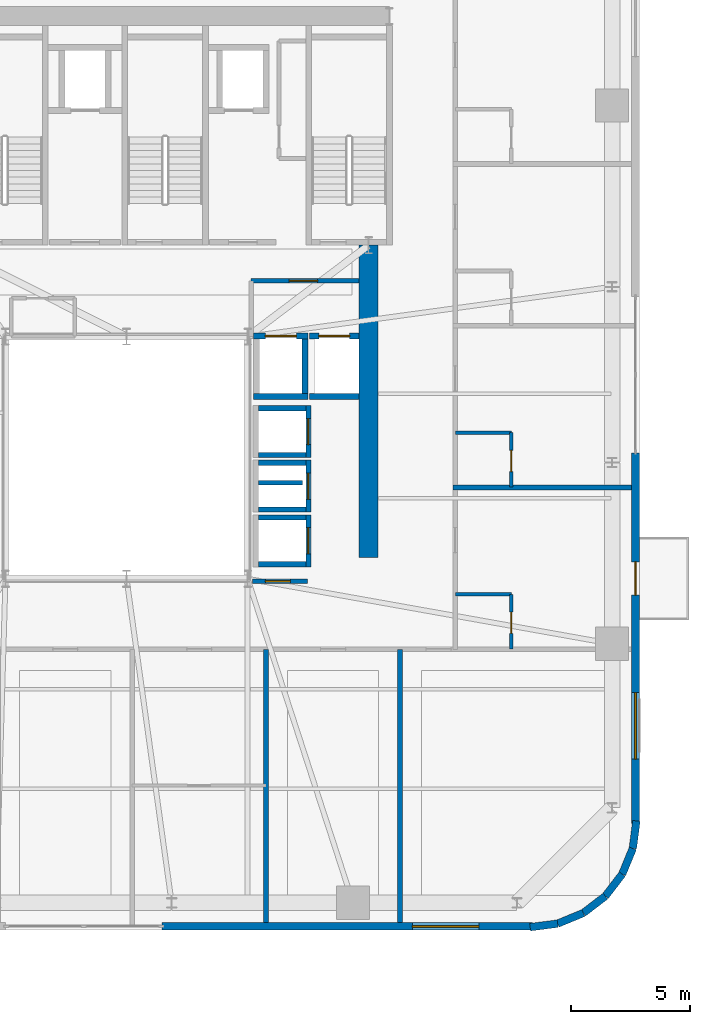
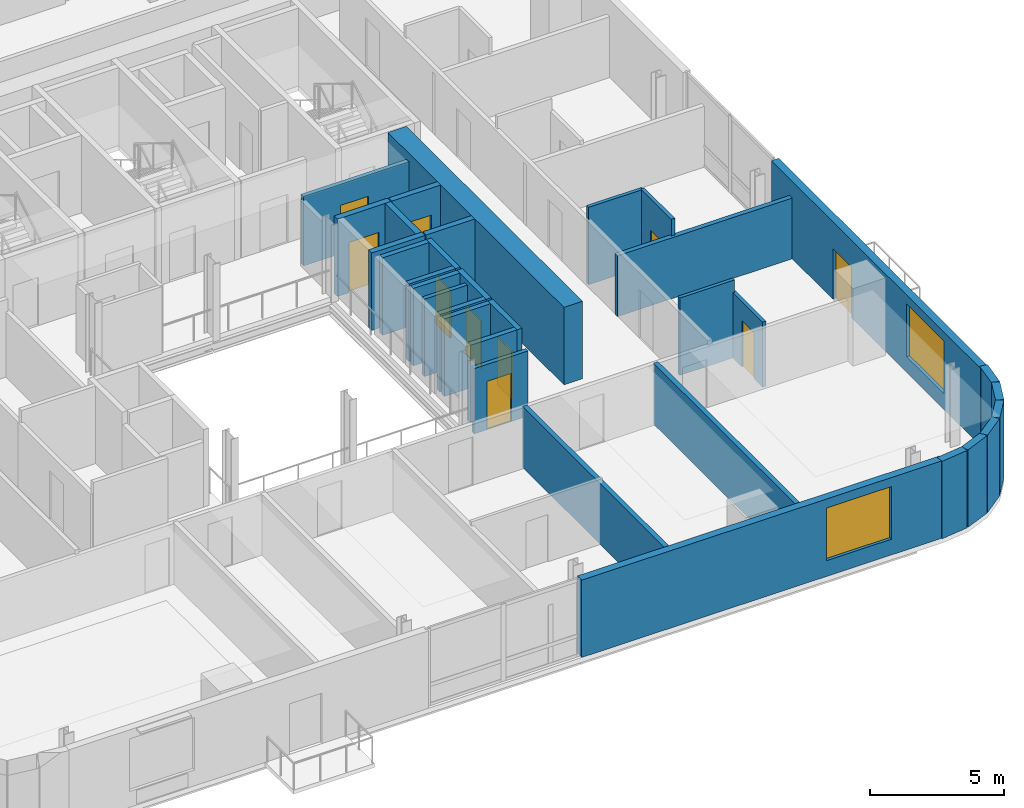
# One storey, part 9 of 16: 33 walls, 10 doors, 2 windows, 12 openings.
"""IFC4 building model written with IfcOpenShell, lengths in metres."""

from ifc_helpers import new_model, si_unit, direction, frame, frame_2d, origin, place, context, subcontext, project, spatial, rectangle, extrude, source, transform, mapped, material, layer, layer_set, type_object, element, fill, save


model = new_model("IFC4")

# Units and contexts
model_context = context("Model", 3, precision=1e-05, world=origin(), true_north=direction((0.0, 1.0)))
body_context = subcontext(model_context, "Body", "Model", "MODEL_VIEW")
ifc_project = project(units=[si_unit("LENGTHUNIT", "METRE"), si_unit("AREAUNIT", "SQUARE_METRE"), si_unit("VOLUMEUNIT", "CUBIC_METRE"), si_unit("PLANEANGLEUNIT", "RADIAN"), si_unit("MASSUNIT", "GRAM", prefix="KILO")], contexts=[model_context])

# Site, building, storey
site_placement = place(None, origin())
site = spatial("IfcSite", under=ifc_project, at=site_placement, CompositionType="ELEMENT")
building_placement = place(site_placement, origin())
building = spatial("IfcBuilding", under=site, at=building_placement, Name="Vardaveli Station Tower", CompositionType="ELEMENT")
storey_placement = place(building_placement, frame((0.0, 0.0, 226.050048828125)))
storey = spatial("IfcBuildingStorey", under=building, at=storey_placement, Name="L58", CompositionType="ELEMENT", Elevation=226.050048828125)

# Wall
ifc_material_1 = material(Name="Concrete C50/60", Category="concrete")
ifc_layer_1 = layer(ifc_material_1, 0.800048828125, Name="Concrete C50/60")
ifc_layer_set_1 = layer_set([ifc_layer_1], Name="Concrete C50/60")
wall_type_1 = type_object("IfcWallType", Name="WAL-CORE-800", PredefinedType="SHEAR", material=ifc_layer_set_1)
shared_shape_1 = source(origin(), body_context, "Body", "SweptSolid", [
    extrude(rectangle(XDim=13.14990234375, YDim=0.800048828125, at=frame_2d((6.574951171875, 0.0))), origin(), (0.0, 0.0, 1.0), 3.530029296875),
])
wall_1_placement = place(storey_placement, frame((46.5, 17.5, 0.0), z_axis=(0.0, 0.0, 1.0), x_axis=(0.0, 1.0, 0.0)))
element("IfcWall", 1, at=wall_1_placement, inside=storey, type_object=wall_type_1, Name="SW-L58-EAST2", PredefinedType="SHEAR", context=body_context, shape_type="MappedRepresentation", body=[
    mapped(shared_shape_1, transform((0.0, 0.0, 0.0), scale=1.0)),
])

# Wall, opening, window
ifc_material_2 = material(Name="Precast concrete C45/55", Category="concrete")
ifc_layer_2 = layer(ifc_material_2, 0.320068359375, Name="Precast concrete C45/55")
ifc_layer_set_2 = layer_set([ifc_layer_2], Name="Precast concrete C45/55")
wall_type_2 = type_object("IfcWallType", Name="WAL-EXT-STONE-320", PredefinedType="SOLIDWALL", material=ifc_layer_set_2)
shared_shape_2 = source(origin(), body_context, "Body", "SweptSolid", [
    extrude(rectangle(XDim=15.599853515625, YDim=0.320068359375, at=frame_2d((7.7998046875, 0.0))), origin(), (0.0, 0.0, 1.0), 3.530029296875),
])
wall_2_placement = place(storey_placement, frame((37.800048828125, 1.9599609375, 0.0), z_axis=(0.0, 0.0, 1.0), x_axis=(1.0, 0.0, 0.0)))
wall_2 = element("IfcWall", 2, at=wall_2_placement, inside=storey, type_object=wall_type_2, Name="EW-L58-S2", PredefinedType="SOLIDWALL", context=body_context, shape_type="MappedRepresentation", body=[
    mapped(shared_shape_2, transform((0.0, 0.0, 0.0), scale=1.0)),
])
shared_shape_3 = source(origin(), body_context, "Body", "SweptSolid", [
    extrude(rectangle(XDim=2.800048828125, YDim=2.39990234375, at=frame_2d((1.39990234375, 1.199951171875))), frame((0.0, 0.169921875, 0.0), z_axis=(0.0, -1.0, 0.0), x_axis=(1.0, 0.0, 0.0)), (0.0, 0.0, 1.0), 0.340087890625),
])
opening_1_placement = place(wall_2_placement, frame((10.544921875, 0.0, 0.719970703125)))
opening_1 = element("IfcOpeningElement", 3, at=opening_1_placement, cuts=wall_2, Name="Opening W-04", PredefinedType="OPENING", context=body_context, shape_type="MappedRepresentation", body=[
    mapped(shared_shape_3, transform((0.0, 0.0, 0.0), scale=1.0)),
])
ifc_material_3 = material(Name="Low-E solar-control glass", Category="glass")
window_type = type_object("IfcWindowType", Name="WIN-SUITE-2800x2400", PartitioningType="SINGLE_PANEL", PredefinedType="WINDOW", material=ifc_material_3)
shared_shape_4 = source(origin(), body_context, "Body", "SweptSolid", [
    extrude(rectangle(XDim=2.800048828125, YDim=2.39990234375, at=frame_2d((1.39990234375, 1.199951171875))), frame((0.0, 0.030029296875, 0.0), z_axis=(0.0, -1.0, 0.0), x_axis=(1.0, 0.0, 0.0)), (0.0, 0.0, 1.0), 0.06005859375),
])
window_1_placement = place(opening_1_placement, origin())
window_1 = element("IfcWindow", 4, at=window_1_placement, inside=storey, type_object=window_type, Name="WN-L58-S2", OverallHeight=2.39990234375, OverallWidth=2.800048828125, PartitioningType="SINGLE_PANEL", PredefinedType="WINDOW", context=body_context, shape_type="MappedRepresentation", body=[
    mapped(shared_shape_4, transform((0.0, 0.0, 0.0), scale=1.0)),
])
fill(opening_1, window_1)

# Wall, openings, door, window
wall_3_placement = place(storey_placement, frame((57.739990234375, 6.300048828125, 0.0), z_axis=(0.0, 0.0, 1.0), x_axis=(0.0, 1.0, 0.0)))
wall_3 = element("IfcWall", 5, at=wall_3_placement, inside=storey, type_object=wall_type_2, Name="EW-L58-E1", PredefinedType="SOLIDWALL", context=body_context, shape_type="MappedRepresentation", body=[
    mapped(shared_shape_2, transform((0.0, 0.0, 0.0), scale=1.0)),
])
shared_shape_5 = source(origin(), body_context, "Body", "SweptSolid", [
    extrude(rectangle(XDim=1.39990234375, YDim=2.300048828125, at=frame_2d((0.699951171875, 1.14990234375))), frame((0.0, 0.169921875, 0.0), z_axis=(0.0, -1.0, 0.0), x_axis=(1.0, 0.0, 0.0)), (0.0, 0.0, 1.0), 0.340087890625),
])
opening_2_placement = place(wall_3_placement, frame((9.6103515625, 0.0, 0.0)))
opening_2 = element("IfcOpeningElement", 6, at=opening_2_placement, cuts=wall_3, Name="Opening D-09", PredefinedType="OPENING", context=body_context, shape_type="MappedRepresentation", body=[
    mapped(shared_shape_5, transform((0.0, 0.0, 0.0), scale=1.0)),
])
opening_3_placement = place(wall_3_placement, frame((2.705078125, 0.0, 0.719970703125)))
opening_3 = element("IfcOpeningElement", 7, at=opening_3_placement, cuts=wall_3, Name="Opening W-04", PredefinedType="OPENING", context=body_context, shape_type="MappedRepresentation", body=[
    mapped(shared_shape_3, transform((0.0, 0.0, 0.0), scale=1.0)),
])
ifc_material_4 = material(Name="Thermally broken aluminium glass", Category="aluminium")
door_type_1 = type_object("IfcDoorType", Name="DR-LOG-1400x2300", OperationType="DOUBLE_DOOR_SLIDING", PredefinedType="DOOR", material=ifc_material_4)
shared_shape_6 = source(origin(), body_context, "Body", "SweptSolid", [
    extrude(rectangle(XDim=1.39990234375, YDim=2.300048828125, at=frame_2d((0.699951171875, 1.14990234375))), frame((0.0, 0.02490234375, 0.0), z_axis=(0.0, -1.0, 0.0), x_axis=(1.0, 0.0, 0.0)), (0.0, 0.0, 1.0), 0.050048828125),
])
door_1_placement = place(opening_2_placement, frame((1.39990234375, 0.0, 0.0), z_axis=(0.0, 0.0, 1.0), x_axis=(-1.0, 0.0, 0.0)))
door_1 = element("IfcDoor", 8, at=door_1_placement, inside=storey, type_object=door_type_1, Name="DLG-L58-E", OperationType="DOUBLE_DOOR_SLIDING", OverallHeight=2.300048828125, OverallWidth=1.39990234375, PredefinedType="DOOR", context=body_context, shape_type="MappedRepresentation", body=[
    mapped(shared_shape_6, transform((0.0, 0.0, 0.0), scale=1.0)),
])
fill(opening_2, door_1)
window_2_placement = place(opening_3_placement, origin())
window_2 = element("IfcWindow", 9, at=window_2_placement, inside=storey, type_object=window_type, Name="WN-L58-E1", OverallHeight=2.39990234375, OverallWidth=2.800048828125, PartitioningType="SINGLE_PANEL", PredefinedType="WINDOW", context=body_context, shape_type="MappedRepresentation", body=[
    mapped(shared_shape_4, transform((0.0, 0.0, 0.0), scale=1.0)),
])
fill(opening_3, window_2)

# Walls
shared_shape_7 = source(origin(), body_context, "Body", "SweptSolid", [
    extrude(rectangle(XDim=1.170654296875, YDim=0.320068359375, at=frame_2d((0.58544921875, 0.0))), origin(), (0.0, 0.0, 1.0), 3.530029296875),
])
wall_4_placement = place(storey_placement, frame((57.62548828125, 5.23974609375, 0.0), z_axis=(0.0, 0.0, 1.0), x_axis=(0.128269133229, 0.991739395941, 0.0)))
element("IfcWall", 10, at=wall_4_placement, inside=storey, type_object=wall_type_2, Name="EW-L58-CR2-6", PredefinedType="SOLIDWALL", context=body_context, shape_type="MappedRepresentation", body=[
    mapped(shared_shape_7, transform((0.0, 0.0, 0.0), scale=1.0)),
])
shared_shape_8 = source(origin(), body_context, "Body", "SweptSolid", [
    extrude(rectangle(XDim=1.1689453125, YDim=0.320068359375, at=frame_2d((0.58447265625, 0.0))), origin(), (0.0, 0.0, 1.0), 3.530029296875),
])
for number, where, z_axis, x_axis, name in (
    (11, (56.46875, 3.231201171875, 0.0), (0.0, 0.0, 1.0), (0.608387696831, 0.793639975269, 0.0), "EW-L58-CR2-4"),
    (12, (57.179931640625, 4.158935546875, 0.0), (0.0, 0.0, 1.0), (0.381127904695, 0.924522320046, 0.0), "EW-L58-CR2-5"),
):
    element("IfcWall", number, at=place(storey_placement, frame(where, z_axis=z_axis, x_axis=x_axis)), inside=storey, type_object=wall_type_2, Name=name, PredefinedType="SOLIDWALL", context=body_context, shape_type="MappedRepresentation", body=[
        mapped(shared_shape_8, transform((0.0, 0.0, 0.0), scale=1.0)),
    ])
shared_shape_9 = source(origin(), body_context, "Body", "SweptSolid", [
    extrude(rectangle(XDim=1.168701171875, YDim=0.320068359375, at=frame_2d((0.58447265625, 0.0))), origin(), (0.0, 0.0, 1.0), 3.530029296875),
])
wall_5_placement = place(storey_placement, frame((55.541259765625, 2.520263671875, 0.0), z_axis=(0.0, 0.0, 1.0), x_axis=(0.793663520347, 0.608356981114, 0.0)))
element("IfcWall", 13, at=wall_5_placement, inside=storey, type_object=wall_type_2, Name="EW-L58-CR2-3", PredefinedType="SOLIDWALL", context=body_context, shape_type="MappedRepresentation", body=[
    mapped(shared_shape_9, transform((0.0, 0.0, 0.0), scale=1.0)),
])
shared_shape_10 = source(origin(), body_context, "Body", "SweptSolid", [
    extrude(rectangle(XDim=1.16943359375, YDim=0.320068359375, at=frame_2d((0.584716796875, 0.0))), origin(), (0.0, 0.0, 1.0), 3.530029296875),
])
wall_6_placement = place(storey_placement, frame((54.460205078125, 2.074462890625, 0.0), z_axis=(0.0, 0.0, 1.0), x_axis=(0.924479075121, 0.381232789334, 0.0)))
element("IfcWall", 14, at=wall_6_placement, inside=storey, type_object=wall_type_2, Name="EW-L58-CR2-2", PredefinedType="SOLIDWALL", context=body_context, shape_type="MappedRepresentation", body=[
    mapped(shared_shape_10, transform((0.0, 0.0, 0.0), scale=1.0)),
])
shared_shape_11 = source(origin(), body_context, "Body", "SweptSolid", [
    extrude(rectangle(XDim=1.170166015625, YDim=0.320068359375, at=frame_2d((0.5849609375, 0.0))), origin(), (0.0, 0.0, 1.0), 3.530029296875),
])
wall_7_placement = place(storey_placement, frame((53.299560546875, 1.924560546875, 0.0), z_axis=(0.0, 0.0, 1.0), x_axis=(0.991762485493, 0.128090485085, 0.0)))
element("IfcWall", 15, at=wall_7_placement, inside=storey, type_object=wall_type_2, Name="EW-L58-CR2-1", PredefinedType="SOLIDWALL", context=body_context, shape_type="MappedRepresentation", body=[
    mapped(shared_shape_11, transform((0.0, 0.0, 0.0), scale=1.0)),
])
ifc_material_5 = material(Name="Concrete C40/50", Category="concrete")
ifc_layer_3 = layer(ifc_material_5, 0.219970703125, Name="Concrete C40/50")
ifc_layer_set_3 = layer_set([ifc_layer_3], Name="Concrete C40/50")
wall_type_3 = type_object("IfcWallType", Name="WAL-FFLOBBY-220", PredefinedType="SOLIDWALL", material=ifc_layer_set_3)
shared_shape_12 = source(origin(), body_context, "Body", "SweptSolid", [
    extrude(rectangle(XDim=2.0, YDim=0.219970703125, at=frame_2d((1.0, 0.0))), origin(), (0.0, 0.0, 1.0), 3.530029296875),
])
for number, where, z_axis, x_axis, name in (
    (16, (41.85009765625, 21.81494140625, 0.0), (0.0, 0.0, 1.0), (1.0, 0.0, 0.0), "SHW-HL3-01-L58-S"),
    (17, (41.85009765625, 23.784912109375, 0.0), (0.0, 0.0, 1.0), (1.0, 0.0, 0.0), "SHW-HL3-01-L58-N"),
    (18, (41.85009765625, 19.514892578125, 0.0), (0.0, 0.0, 1.0), (1.0, 0.0, 0.0), "SHW-HL3-02-L58-S"),
    (19, (41.85009765625, 21.485107421875, 0.0), (0.0, 0.0, 1.0), (1.0, 0.0, 0.0), "SHW-HL3-02-L58-N"),
    (20, (41.85009765625, 17.215087890625, 0.0), (0.0, 0.0, 1.0), (1.0, 0.0, 0.0), "SHW-HL3-03-L58-S"),
    (21, (41.85009765625, 19.18505859375, 0.0), (0.0, 0.0, 1.0), (1.0, 0.0, 0.0), "SHW-HL3-03-L58-N"),
):
    element("IfcWall", number, at=place(storey_placement, frame(where, z_axis=z_axis, x_axis=x_axis)), inside=storey, type_object=wall_type_3, Name=name, PredefinedType="SOLIDWALL", context=body_context, shape_type="MappedRepresentation", body=[
        mapped(shared_shape_12, transform((0.0, 0.0, 0.0), scale=1.0)),
    ])

# Wall, opening, door
shared_shape_13 = source(origin(), body_context, "Body", "SweptSolid", [
    extrude(rectangle(XDim=2.18994140625, YDim=0.219970703125, at=frame_2d((1.094970703125, 0.0))), origin(), (0.0, 0.0, 1.0), 3.530029296875),
])
wall_8_placement = place(storey_placement, frame((43.9599609375, 21.705078125, 0.0), z_axis=(0.0, 0.0, 1.0), x_axis=(0.0, 1.0, 0.0)))
wall_8 = element("IfcWall", 22, at=wall_8_placement, inside=storey, type_object=wall_type_3, Name="SHW-HL3-01-L58-E", PredefinedType="SOLIDWALL", context=body_context, shape_type="MappedRepresentation", body=[
    mapped(shared_shape_13, transform((0.0, 0.0, 0.0), scale=1.0)),
])
shared_shape_14 = source(origin(), body_context, "Body", "SweptSolid", [
    extrude(rectangle(XDim=1.10009765625, YDim=2.199951171875, at=frame_2d((0.550048828125, 1.10009765625))), frame((0.0, 0.1201171875, 0.0), z_axis=(0.0, -1.0, 0.0), x_axis=(1.0, 0.0, 0.0)), (0.0, 0.0, 1.0), 0.239990234375),
])
opening_4_placement = place(wall_8_placement, frame((0.544921875, 0.0, 0.0)))
opening_4 = element("IfcOpeningElement", 23, at=opening_4_placement, cuts=wall_8, Name="Opening LD-01", PredefinedType="OPENING", context=body_context, shape_type="MappedRepresentation", body=[
    mapped(shared_shape_14, transform((0.0, 0.0, 0.0), scale=1.0)),
])
ifc_material_6 = material(Name="Brushed stainless steel", Category="steel")
door_type_2 = type_object("IfcDoorType", Name="DR-LD-1100x2200", OperationType="DOUBLE_DOOR_SLIDING", PredefinedType="DOOR", material=ifc_material_6)
shared_shape_15 = source(origin(), body_context, "Body", "SweptSolid", [
    extrude(rectangle(XDim=1.10009765625, YDim=2.199951171875, at=frame_2d((0.550048828125, 1.10009765625))), frame((0.0, 0.02490234375, 0.0), z_axis=(0.0, -1.0, 0.0), x_axis=(1.0, 0.0, 0.0)), (0.0, 0.0, 1.0), 0.050048828125),
])
door_2_placement = place(opening_4_placement, origin())
door_2 = element("IfcDoor", 24, at=door_2_placement, inside=storey, type_object=door_type_2, Name="LD-HL3-01-L58", OperationType="DOUBLE_DOOR_SLIDING", OverallHeight=2.199951171875, OverallWidth=1.10009765625, PredefinedType="DOOR", context=body_context, shape_type="MappedRepresentation", body=[
    mapped(shared_shape_15, transform((0.0, 0.0, 0.0), scale=1.0)),
])
fill(opening_4, door_2)

wall_9_placement = place(storey_placement, frame((43.9599609375, 19.405029296875, 0.0), z_axis=(0.0, 0.0, 1.0), x_axis=(0.0, 1.0, 0.0)))
wall_9 = element("IfcWall", 25, at=wall_9_placement, inside=storey, type_object=wall_type_3, Name="SHW-HL3-02-L58-E", PredefinedType="SOLIDWALL", context=body_context, shape_type="MappedRepresentation", body=[
    mapped(shared_shape_13, transform((0.0, 0.0, 0.0), scale=1.0)),
])
opening_5_placement = place(wall_9_placement, frame((0.544921875, 0.0, 0.0)))
opening_5 = element("IfcOpeningElement", 26, at=opening_5_placement, cuts=wall_9, Name="Opening LD-01", PredefinedType="OPENING", context=body_context, shape_type="MappedRepresentation", body=[
    mapped(shared_shape_14, transform((0.0, 0.0, 0.0), scale=1.0)),
])
door_3_placement = place(opening_5_placement, origin())
door_3 = element("IfcDoor", 27, at=door_3_placement, inside=storey, type_object=door_type_2, Name="LD-HL3-02-L58", OperationType="DOUBLE_DOOR_SLIDING", OverallHeight=2.199951171875, OverallWidth=1.10009765625, PredefinedType="DOOR", context=body_context, shape_type="MappedRepresentation", body=[
    mapped(shared_shape_15, transform((0.0, 0.0, 0.0), scale=1.0)),
])
fill(opening_5, door_3)

wall_10_placement = place(storey_placement, frame((43.9599609375, 17.10498046875, 0.0), z_axis=(0.0, 0.0, 1.0), x_axis=(0.0, 1.0, 0.0)))
wall_10 = element("IfcWall", 28, at=wall_10_placement, inside=storey, type_object=wall_type_3, Name="SHW-HL3-03-L58-E", PredefinedType="SOLIDWALL", context=body_context, shape_type="MappedRepresentation", body=[
    mapped(shared_shape_13, transform((0.0, 0.0, 0.0), scale=1.0)),
])
opening_6_placement = place(wall_10_placement, frame((0.544921875, 0.0, 0.0)))
opening_6 = element("IfcOpeningElement", 29, at=opening_6_placement, cuts=wall_10, Name="Opening LD-01", PredefinedType="OPENING", context=body_context, shape_type="MappedRepresentation", body=[
    mapped(shared_shape_14, transform((0.0, 0.0, 0.0), scale=1.0)),
])
door_4_placement = place(opening_6_placement, origin())
door_4 = element("IfcDoor", 30, at=door_4_placement, inside=storey, type_object=door_type_2, Name="LD-HL3-03-L58", OperationType="DOUBLE_DOOR_SLIDING", OverallHeight=2.199951171875, OverallWidth=1.10009765625, PredefinedType="DOOR", context=body_context, shape_type="MappedRepresentation", body=[
    mapped(shared_shape_15, transform((0.0, 0.0, 0.0), scale=1.0)),
])
fill(opening_6, door_4)

# Wall
ifc_layer_4 = layer(ifc_material_5, 0.25, Name="Concrete C40/50")
ifc_layer_set_4 = layer_set([ifc_layer_4], Name="Concrete C40/50")
wall_type_4 = type_object("IfcWallType", Name="WAL-SHAFT-250", PredefinedType="SOLIDWALL", material=ifc_layer_set_4)
shared_shape_16 = source(origin(), body_context, "Body", "SweptSolid", [
    extrude(rectangle(XDim=2.300048828125, YDim=0.25, at=frame_2d((1.14990234375, 0.0))), origin(), (0.0, 0.0, 1.0), 3.530029296875),
])
wall_11_placement = place(storey_placement, frame((41.64990234375, 24.27490234375, 0.0), z_axis=(0.0, 0.0, 1.0), x_axis=(1.0, 0.0, 0.0)))
element("IfcWall", 31, at=wall_11_placement, inside=storey, type_object=wall_type_4, Name="SHW-SRV-01-L58-S", PredefinedType="SOLIDWALL", context=body_context, shape_type="MappedRepresentation", body=[
    mapped(shared_shape_16, transform((0.0, 0.0, 0.0), scale=1.0)),
])

# Wall, opening, door
wall_12_placement = place(storey_placement, frame((41.64990234375, 26.824951171875, 0.0), z_axis=(0.0, 0.0, 1.0), x_axis=(1.0, 0.0, 0.0)))
wall_12 = element("IfcWall", 32, at=wall_12_placement, inside=storey, type_object=wall_type_4, Name="SHW-SRV-01-L58-N", PredefinedType="SOLIDWALL", context=body_context, shape_type="MappedRepresentation", body=[
    mapped(shared_shape_16, transform((0.0, 0.0, 0.0), scale=1.0)),
])
shared_shape_17 = source(origin(), body_context, "Body", "SweptSolid", [
    extrude(rectangle(XDim=1.300048828125, YDim=2.300048828125, at=frame_2d((0.64990234375, 1.14990234375))), frame((0.0, 0.135009765625, 0.0), z_axis=(0.0, -1.0, 0.0), x_axis=(1.0, 0.0, 0.0)), (0.0, 0.0, 1.0), 0.27001953125),
])
opening_7_placement = place(wall_12_placement, frame((0.5, 0.0, 0.0)))
opening_7 = element("IfcOpeningElement", 33, at=opening_7_placement, cuts=wall_12, Name="Opening LD-03", PredefinedType="OPENING", context=body_context, shape_type="MappedRepresentation", body=[
    mapped(shared_shape_17, transform((0.0, 0.0, 0.0), scale=1.0)),
])
door_type_3 = type_object("IfcDoorType", Name="DR-LD-1300x2300", OperationType="DOUBLE_DOOR_SLIDING", PredefinedType="DOOR", material=ifc_material_6)
shared_shape_18 = source(origin(), body_context, "Body", "SweptSolid", [
    extrude(rectangle(XDim=1.300048828125, YDim=2.300048828125, at=frame_2d((0.64990234375, 1.14990234375))), frame((0.0, 0.02490234375, 0.0), z_axis=(0.0, -1.0, 0.0), x_axis=(1.0, 0.0, 0.0)), (0.0, 0.0, 1.0), 0.050048828125),
])
door_5_placement = place(opening_7_placement, origin())
door_5 = element("IfcDoor", 34, at=door_5_placement, inside=storey, type_object=door_type_3, Name="LD-SRV-01-L58", OperationType="DOUBLE_DOOR_SLIDING", OverallHeight=2.300048828125, OverallWidth=1.300048828125, PredefinedType="DOOR", context=body_context, shape_type="MappedRepresentation", body=[
    mapped(shared_shape_18, transform((0.0, 0.0, 0.0), scale=1.0)),
])
fill(opening_7, door_5)

# Walls
wall_13_placement = place(storey_placement, frame((43.824951171875, 24.39990234375, 0.0), z_axis=(0.0, 0.0, 1.0), x_axis=(0.0, 1.0, 0.0)))
element("IfcWall", 35, at=wall_13_placement, inside=storey, type_object=wall_type_4, Name="SHW-SRV-01-L58-E", PredefinedType="SOLIDWALL", context=body_context, shape_type="MappedRepresentation", body=[
    mapped(shared_shape_16, transform((0.0, 0.0, 0.0), scale=1.0)),
])
shared_shape_19 = source(origin(), body_context, "Body", "SweptSolid", [
    extrude(rectangle(XDim=2.10009765625, YDim=0.25, at=frame_2d((1.050048828125, 0.0))), origin(), (0.0, 0.0, 1.0), 3.530029296875),
])
wall_14_placement = place(storey_placement, frame((44.0, 24.27490234375, 0.0), z_axis=(0.0, 0.0, 1.0), x_axis=(1.0, 0.0, 0.0)))
element("IfcWall", 36, at=wall_14_placement, inside=storey, type_object=wall_type_4, Name="SHW-SRV-02-L58-S", PredefinedType="SOLIDWALL", context=body_context, shape_type="MappedRepresentation", body=[
    mapped(shared_shape_19, transform((0.0, 0.0, 0.0), scale=1.0)),
])

# Wall, opening, door
wall_15_placement = place(storey_placement, frame((44.0, 26.824951171875, 0.0), z_axis=(0.0, 0.0, 1.0), x_axis=(1.0, 0.0, 0.0)))
wall_15 = element("IfcWall", 37, at=wall_15_placement, inside=storey, type_object=wall_type_4, Name="SHW-SRV-02-L58-N", PredefinedType="SOLIDWALL", context=body_context, shape_type="MappedRepresentation", body=[
    mapped(shared_shape_19, transform((0.0, 0.0, 0.0), scale=1.0)),
])
opening_8_placement = place(wall_15_placement, frame((0.39990234375, 0.0, 0.0)))
opening_8 = element("IfcOpeningElement", 38, at=opening_8_placement, cuts=wall_15, Name="Opening LD-03", PredefinedType="OPENING", context=body_context, shape_type="MappedRepresentation", body=[
    mapped(shared_shape_17, transform((0.0, 0.0, 0.0), scale=1.0)),
])
door_6_placement = place(opening_8_placement, origin())
door_6 = element("IfcDoor", 39, at=door_6_placement, inside=storey, type_object=door_type_3, Name="LD-SRV-02-L58", OperationType="DOUBLE_DOOR_SLIDING", OverallHeight=2.300048828125, OverallWidth=1.300048828125, PredefinedType="DOOR", context=body_context, shape_type="MappedRepresentation", body=[
    mapped(shared_shape_18, transform((0.0, 0.0, 0.0), scale=1.0)),
])
fill(opening_8, door_6)

ifc_material_7 = material(Name="Fire-rated gypsum stud partition")
ifc_layer_5 = layer(ifc_material_7, 0.179931640625, Name="Fire-rated gypsum stud partition")
ifc_layer_set_5 = layer_set([ifc_layer_5], Name="Fire-rated gypsum stud partition")
wall_type_5 = type_object("IfcWallType", Name="WAL-CORR-180", PredefinedType="PARTITIONING", material=ifc_layer_set_5)
shared_shape_20 = source(origin(), body_context, "Body", "SweptSolid", [
    extrude(rectangle(XDim=4.5478515625, YDim=0.179931640625, at=frame_2d((2.27392578125, 0.0))), origin(), (0.0, 0.0, 1.0), 3.161865234375),
])
wall_16_placement = place(storey_placement, frame((41.550048828125, 29.14990234375, 0.0), z_axis=(0.0, 0.0, 1.0), x_axis=(1.0, 0.0, 0.0)))
wall_16 = element("IfcWall", 40, at=wall_16_placement, inside=storey, type_object=wall_type_5, Name="W-L58-SVFN", PredefinedType="PARTITIONING", context=body_context, shape_type="MappedRepresentation", body=[
    mapped(shared_shape_20, transform((0.0, 0.0, 0.0), scale=1.0)),
])
shared_shape_21 = source(origin(), body_context, "Body", "SweptSolid", [
    extrude(rectangle(XDim=1.199951171875, YDim=2.199951171875, at=frame_2d((0.60009765625, 1.10009765625))), frame((0.0, 0.10009765625, 0.0), z_axis=(0.0, -1.0, 0.0), x_axis=(1.0, 0.0, 0.0)), (0.0, 0.0, 1.0), 0.199951171875),
])
opening_9_placement = place(wall_16_placement, frame((1.60009765625, 0.0, 0.0)))
opening_9 = element("IfcOpeningElement", 41, at=opening_9_placement, cuts=wall_16, Name="Opening D-03", PredefinedType="OPENING", context=body_context, shape_type="MappedRepresentation", body=[
    mapped(shared_shape_21, transform((0.0, 0.0, 0.0), scale=1.0)),
])
ifc_material_8 = material(Name="Steel smokeproof fire doorset", Category="steel")
door_type_4 = type_object("IfcDoorType", Name="DR-FFL-1200x2200", OperationType="NOTDEFINED", PredefinedType="DOOR", material=ifc_material_8)
shared_shape_22 = source(origin(), body_context, "Body", "SweptSolid", [
    extrude(rectangle(XDim=1.199951171875, YDim=2.199951171875, at=frame_2d((0.60009765625, 1.10009765625))), frame((0.0, 0.02490234375, 0.0), z_axis=(0.0, -1.0, 0.0), x_axis=(1.0, 0.0, 0.0)), (0.0, 0.0, 1.0), 0.050048828125),
])
door_7_placement = place(opening_9_placement, origin())
door_7 = element("IfcDoor", 42, at=door_7_placement, inside=storey, type_object=door_type_4, Name="D-L58-SVF", OperationType="SINGLE_SWING_LEFT", OverallHeight=2.199951171875, OverallWidth=1.199951171875, PredefinedType="DOOR", context=body_context, shape_type="MappedRepresentation", body=[
    mapped(shared_shape_22, transform((0.0, 0.0, 0.0), scale=1.0)),
])
fill(opening_9, door_7)

shared_shape_23 = source(origin(), body_context, "Body", "SweptSolid", [
    extrude(rectangle(XDim=2.329833984375, YDim=0.179931640625, at=frame_2d((1.1650390625, 0.0))), origin(), (0.0, 0.0, 1.0), 2.971923828125),
])
wall_17_placement = place(storey_placement, frame((41.60009765625, 16.5, 0.0), z_axis=(0.0, 0.0, 1.0), x_axis=(1.0, 0.0, 0.0)))
wall_17 = element("IfcWall", 43, at=wall_17_placement, inside=storey, type_object=wall_type_5, Name="W-L58-ATE-S", PredefinedType="PARTITIONING", context=body_context, shape_type="MappedRepresentation", body=[
    mapped(shared_shape_23, transform((0.0, 0.0, 0.0), scale=1.0)),
])
shared_shape_24 = source(origin(), body_context, "Body", "SweptSolid", [
    extrude(rectangle(XDim=1.050048828125, YDim=2.199951171875, at=frame_2d((0.52490234375, 1.10009765625))), frame((0.0, 0.10009765625, 0.0), z_axis=(0.0, -1.0, 0.0), x_axis=(1.0, 0.0, 0.0)), (0.0, 0.0, 1.0), 0.199951171875),
])
opening_10_placement = place(wall_17_placement, frame((0.550048828125, 0.0, 0.0)))
opening_10 = element("IfcOpeningElement", 44, at=opening_10_placement, cuts=wall_17, Name="Opening D-05", PredefinedType="OPENING", context=body_context, shape_type="MappedRepresentation", body=[
    mapped(shared_shape_24, transform((0.0, 0.0, 0.0), scale=1.0)),
])
ifc_material_9 = material(Name="Walnut veneer acoustic fire door")
door_type_5 = type_object("IfcDoorType", Name="DR-SUITE-1050x2200", OperationType="NOTDEFINED", PredefinedType="DOOR", material=ifc_material_9)
shared_shape_25 = source(origin(), body_context, "Body", "SweptSolid", [
    extrude(rectangle(XDim=1.050048828125, YDim=2.199951171875, at=frame_2d((0.52490234375, 1.10009765625))), frame((0.0, 0.02490234375, 0.0), z_axis=(0.0, -1.0, 0.0), x_axis=(1.0, 0.0, 0.0)), (0.0, 0.0, 1.0), 0.050048828125),
])
door_8_placement = place(opening_10_placement, origin())
door_8 = element("IfcDoor", 45, at=door_8_placement, inside=storey, type_object=door_type_5, Name="D-L58-ATE1", OperationType="SINGLE_SWING_RIGHT", OverallHeight=2.199951171875, OverallWidth=1.050048828125, PredefinedType="DOOR", context=body_context, shape_type="MappedRepresentation", body=[
    mapped(shared_shape_25, transform((0.0, 0.0, 0.0), scale=1.0)),
])
fill(opening_10, door_8)

ifc_material_10 = material(Name="Moisture-resistant stud partition")
ifc_layer_6 = layer(ifc_material_10, 0.14990234375, Name="Moisture-resistant stud partition")
ifc_layer_set_6 = layer_set([ifc_layer_6], Name="Moisture-resistant stud partition")
wall_type_6 = type_object("IfcWallType", Name="WAL-WET-150", PredefinedType="PARTITIONING", material=ifc_layer_set_6)
shared_shape_26 = source(origin(), body_context, "Body", "SweptSolid", [
    extrude(rectangle(XDim=2.2900390625, YDim=0.14990234375, at=frame_2d((1.14501953125, 0.0))), origin(), (0.0, 0.0, 1.0), 2.971923828125),
])
wall_18_placement = place(storey_placement, frame((52.510009765625, 13.64990234375, 0.0), z_axis=(0.0, 0.0, 1.0), x_axis=(0.0, 1.0, 0.0)))
wall_18 = element("IfcWall", 46, at=wall_18_placement, inside=storey, type_object=wall_type_6, Name="W-L58-BE1-E", PredefinedType="PARTITIONING", context=body_context, shape_type="MappedRepresentation", body=[
    mapped(shared_shape_26, transform((0.0, 0.0, 0.0), scale=1.0)),
])
shared_shape_27 = source(origin(), body_context, "Body", "SweptSolid", [
    extrude(rectangle(XDim=0.89990234375, YDim=2.10009765625, at=frame_2d((0.449951171875, 1.050048828125))), frame((0.0, 0.0849609375, 0.0), z_axis=(0.0, -1.0, 0.0), x_axis=(1.0, 0.0, 0.0)), (0.0, 0.0, 1.0), 0.169921875),
])
opening_11_placement = place(wall_18_placement, frame((0.64990234375, 0.0, 0.0)))
opening_11 = element("IfcOpeningElement", 47, at=opening_11_placement, cuts=wall_18, Name="Opening D-08", PredefinedType="OPENING", context=body_context, shape_type="MappedRepresentation", body=[
    mapped(shared_shape_27, transform((0.0, 0.0, 0.0), scale=1.0)),
])
ifc_material_11 = material(Name="Moisture-resistant oak door")
door_type_6 = type_object("IfcDoorType", Name="DR-BATH-900x2100", OperationType="NOTDEFINED", PredefinedType="DOOR", material=ifc_material_11)
shared_shape_28 = source(origin(), body_context, "Body", "SweptSolid", [
    extrude(rectangle(XDim=0.89990234375, YDim=2.10009765625, at=frame_2d((0.449951171875, 1.050048828125))), frame((0.0, 0.02490234375, 0.0), z_axis=(0.0, -1.0, 0.0), x_axis=(1.0, 0.0, 0.0)), (0.0, 0.0, 1.0), 0.050048828125),
])
door_9_placement = place(opening_11_placement, origin())
door_9 = element("IfcDoor", 48, at=door_9_placement, inside=storey, type_object=door_type_6, Name="D-L58-BE1", OperationType="SINGLE_SWING_RIGHT", OverallHeight=2.10009765625, OverallWidth=0.89990234375, PredefinedType="DOOR", context=body_context, shape_type="MappedRepresentation", body=[
    mapped(shared_shape_28, transform((0.0, 0.0, 0.0), scale=1.0)),
])
fill(opening_11, door_9)

# Walls
ifc_material_12 = material(Name="Acoustic twin-stud gypsum partition")
ifc_layer_7 = layer(ifc_material_12, 0.199951171875, Name="Acoustic twin-stud gypsum partition")
ifc_layer_set_7 = layer_set([ifc_layer_7], Name="Acoustic twin-stud gypsum partition")
wall_type_7 = type_object("IfcWallType", Name="WAL-PARTY-200", PredefinedType="PARTITIONING", material=ifc_layer_set_7)
shared_shape_29 = source(origin(), body_context, "Body", "SweptSolid", [
    extrude(rectangle(XDim=7.52783203125, YDim=0.199951171875, at=frame_2d((3.763916015625, 0.0))), origin(), (0.0, 0.0, 1.0), 2.77197265625),
])
wall_19_placement = place(storey_placement, frame((50.050048828125, 20.44189453125, 0.0), z_axis=(0.0, 0.0, 1.0), x_axis=(1.0, 0.0, 0.0)))
element("IfcWall", 49, at=wall_19_placement, inside=storey, type_object=wall_type_7, Name="W-L58-PE1", PredefinedType="PARTITIONING", context=body_context, shape_type="MappedRepresentation", body=[
    mapped(shared_shape_29, transform((0.0, 0.0, 0.0), scale=1.0)),
])
shared_shape_30 = source(origin(), body_context, "Body", "SweptSolid", [
    extrude(rectangle(XDim=2.360107421875, YDim=0.14990234375, at=frame_2d((1.18017578125, 0.0))), origin(), (0.0, 0.0, 1.0), 3.530029296875),
])
for number, where, z_axis, x_axis, name in (
    (50, (50.14990234375, 15.93994140625, 0.0), (0.0, 0.0, 1.0), (1.0, 0.0, 0.0), "W-L58-BE1-N"),
    (51, (50.14990234375, 22.751953125, 0.0), (0.0, 0.0, 1.0), (1.0, 0.0, 0.0), "W-L58-BE2-N"),
):
    element("IfcWall", number, at=place(storey_placement, frame(where, z_axis=z_axis, x_axis=x_axis)), inside=storey, type_object=wall_type_6, Name=name, PredefinedType="PARTITIONING", context=body_context, shape_type="MappedRepresentation", body=[
        mapped(shared_shape_30, transform((0.0, 0.0, 0.0), scale=1.0)),
    ])
shared_shape_31 = source(origin(), body_context, "Body", "SweptSolid", [
    extrude(rectangle(XDim=1.85791015625, YDim=0.179931640625, at=frame_2d((0.928955078125, 0.0))), origin(), (0.0, 0.0, 1.0), 3.530029296875),
])
wall_20_placement = place(storey_placement, frame((41.85205078125, 20.64990234375, 0.0), z_axis=(0.0, 0.0, 1.0), x_axis=(1.0, 0.0, 0.0)))
element("IfcWall", 52, at=wall_20_placement, inside=storey, type_object=wall_type_5, Name="W-L58-ATE-N", PredefinedType="PARTITIONING", context=body_context, shape_type="MappedRepresentation", body=[
    mapped(shared_shape_31, transform((0.0, 0.0, 0.0), scale=1.0)),
])

# Wall, opening, door
shared_shape_32 = source(origin(), body_context, "Body", "SweptSolid", [
    extrude(rectangle(XDim=2.2900390625, YDim=0.14990234375, at=frame_2d((1.14501953125, 0.0))), origin(), (0.0, 0.0, 1.0), 3.530029296875),
])
wall_21_placement = place(storey_placement, frame((52.510009765625, 20.4619140625, 0.0), z_axis=(0.0, 0.0, 1.0), x_axis=(0.0, 1.0, 0.0)))
wall_21 = element("IfcWall", 53, at=wall_21_placement, inside=storey, type_object=wall_type_6, Name="W-L58-BE2-E", PredefinedType="PARTITIONING", context=body_context, shape_type="MappedRepresentation", body=[
    mapped(shared_shape_32, transform((0.0, 0.0, 0.0), scale=1.0)),
])
opening_12_placement = place(wall_21_placement, frame((0.64990234375, 0.0, 0.0)))
opening_12 = element("IfcOpeningElement", 54, at=opening_12_placement, cuts=wall_21, Name="Opening D-08", PredefinedType="OPENING", context=body_context, shape_type="MappedRepresentation", body=[
    mapped(shared_shape_27, transform((0.0, 0.0, 0.0), scale=1.0)),
])
door_10_placement = place(opening_12_placement, origin())
door_10 = element("IfcDoor", 55, at=door_10_placement, inside=storey, type_object=door_type_6, Name="D-L58-BE2", OperationType="SINGLE_SWING_LEFT", OverallHeight=2.10009765625, OverallWidth=0.89990234375, PredefinedType="DOOR", context=body_context, shape_type="MappedRepresentation", body=[
    mapped(shared_shape_28, transform((0.0, 0.0, 0.0), scale=1.0)),
])
fill(opening_12, door_10)

# Walls
shared_shape_33 = source(origin(), body_context, "Body", "SweptSolid", [
    extrude(rectangle(XDim=11.5078125, YDim=0.199951171875, at=frame_2d((5.75390625, 0.0))), origin(), (0.0, 0.0, 1.0), 2.77197265625),
])
for number, where, z_axis, x_axis, name in (
    (56, (42.177978515625, 2.1220703125, 0.0), (0.0, 0.0, 1.0), (0.0, 1.0, 0.0), "W-L58-PS4"),
    (57, (47.820068359375, 2.1220703125, 0.0), (0.0, 0.0, 1.0), (0.0, 1.0, 0.0), "W-L58-PS5"),
):
    element("IfcWall", number, at=place(storey_placement, frame(where, z_axis=z_axis, x_axis=x_axis)), inside=storey, type_object=wall_type_7, Name=name, PredefinedType="PARTITIONING", context=body_context, shape_type="MappedRepresentation", body=[
        mapped(shared_shape_33, transform((0.0, 0.0, 0.0), scale=1.0)),
    ])

save(model, "model.ifc")
